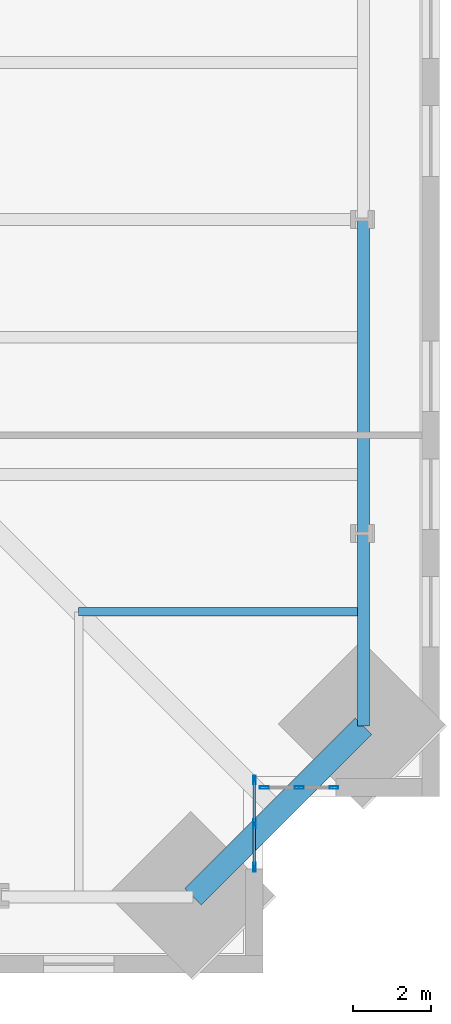
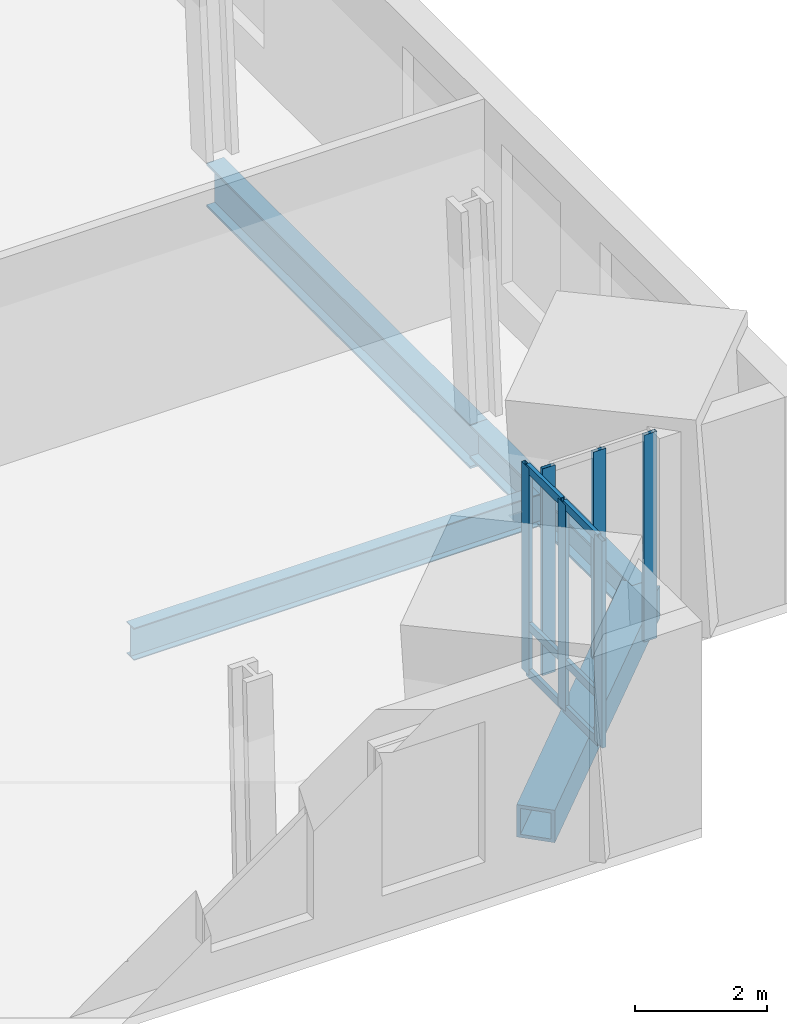
# One storey, part 4 of 16: 12 members, 4 beams, 2 elements without a shape of their own.
"""IFC4 building model written with IfcOpenShell, lengths in metres."""

from ifc_helpers import new_model, si_unit, direction, frame, origin, origin_2d, place, context, subcontext, project, spatial, hollow_rectangle, i_section, extrude, material, material_profile, profile_set, type_object, element, aggregate, save


model = new_model("IFC4")

# Units and contexts
model_context = context("Model", 3, precision=1e-05, world=origin(), true_north=direction((0.0, 1.0)))
body_context = subcontext(model_context, "Body", "Model", "MODEL_VIEW")
ifc_project = project(units=[si_unit("LENGTHUNIT", "METRE"), si_unit("AREAUNIT", "SQUARE_METRE"), si_unit("VOLUMEUNIT", "CUBIC_METRE"), si_unit("PLANEANGLEUNIT", "RADIAN"), si_unit("MASSUNIT", "GRAM", prefix="KILO")], contexts=[model_context])

# Site, building, storey
site_placement = place(None, origin())
site = spatial("IfcSite", under=ifc_project, at=site_placement, CompositionType="ELEMENT")
building_placement = place(site_placement, origin())
building = spatial("IfcBuilding", under=site, at=building_placement, Name="Peilmerk Tower", CompositionType="ELEMENT")
storey_placement = place(building_placement, frame((0.0, 0.0, 139.800048828125)))
storey = spatial("IfcBuildingStorey", under=building, at=storey_placement, Name="L28", CompositionType="ELEMENT", Elevation=139.800048828125)

# Beams
ifc_material_1 = material(Name="Steel S355", Category="steel")
ifc_material_profile_1 = material_profile(ifc_material_1, i_section(OverallWidth=0.219970703125, OverallDepth=0.60009765625, WebThickness=0.011962890625, FlangeThickness=0.01904296875, at=origin_2d()), Name="IPE 600")
ifc_profile_set_1 = profile_set([ifc_material_profile_1], Name="Steel S355")
beam_type_1 = type_object("IfcBeamType", Name="B10 IPE 600 floor beam", PredefinedType="BEAM", material=ifc_profile_set_1)
beam_1_placement = place(storey_placement, frame((18.0, -18.0, -0.469970703125), z_axis=(1.0, 0.0, 0.0), x_axis=(0.0, 1.0, 0.0)))
element("IfcBeam", 1, at=beam_1_placement, inside=storey, type_object=beam_type_1, Name="Floor beam L28", PredefinedType="BEAM", context=body_context, shape_type="SweptSolid", body=[
    extrude(i_section(OverallWidth=0.219970703125, OverallDepth=0.60009765625, WebThickness=0.011962890625, FlangeThickness=0.01904296875, at=origin_2d()), origin(), (0.0, 0.0, 1.0), 7.259765625),
])
ifc_material_profile_2 = material_profile(ifc_material_1, i_section(OverallWidth=0.302978515625, OverallDepth=0.81396484375, WebThickness=0.02099609375, FlangeThickness=0.0400390625, at=origin_2d()), Name="HEM 800")
ifc_profile_set_2 = profile_set([ifc_material_profile_2], Name="Steel S355")
beam_type_2 = type_object("IfcBeamType", Name="B15 HEM 800 edge beam", PredefinedType="SPANDREL", material=ifc_profile_set_2)
beam_2_placement = place(storey_placement, frame((25.259765625, -16.0, -0.5771484375), z_axis=(0.0, 1.0, 0.0), x_axis=(-1.0, 0.0, 0.0)))
element("IfcBeam", 2, at=beam_2_placement, inside=storey, type_object=beam_type_2, Name="Edge beam L28", PredefinedType="SPANDREL", context=body_context, shape_type="SweptSolid", body=[
    extrude(i_section(OverallWidth=0.302978515625, OverallDepth=0.81396484375, WebThickness=0.02099609375, FlangeThickness=0.0400390625, at=origin_2d()), origin(), (0.0, 0.0, 1.0), 8.0),
])
ifc_material_2 = material(Name="Steel S460", Category="steel")
ifc_material_profile_3 = material_profile(ifc_material_2, hollow_rectangle(XDim=0.60009765625, YDim=0.60009765625, WallThickness=0.06005859375, at=origin_2d()), Name="BOX 600x600x60")
ifc_profile_set_3 = profile_set([ifc_material_profile_3], Name="Steel S460")
beam_type_3 = type_object("IfcBeamType", Name="B20 BOX 600x600x60 notch beam", PredefinedType="SPANDREL", material=ifc_profile_set_3)
beam_3_placement = place(storey_placement, frame((25.259765625, -20.90966796875, -0.469970703125), z_axis=(-0.707106781187, -0.707106781187, 0.0), x_axis=(0.707106781187, -0.707106781187, 0.0)))
element("IfcBeam", 3, at=beam_3_placement, inside=storey, type_object=beam_type_3, Name="Notch beam L28", PredefinedType="SPANDREL", context=body_context, shape_type="SweptSolid", body=[
    extrude(hollow_rectangle(XDim=0.60009765625, YDim=0.60009765625, WallThickness=0.06005859375, at=origin_2d()), origin(), (0.0, 0.0, 1.0), 6.15185546875),
])
ifc_material_profile_4 = material_profile(ifc_material_1, i_section(OverallWidth=0.304931640625, OverallDepth=0.6201171875, WebThickness=0.02099609375, FlangeThickness=0.0400390625, at=origin_2d()), Name="HEM 600")
ifc_profile_set_4 = profile_set([ifc_material_profile_4], Name="Steel S355")
beam_type_4 = type_object("IfcBeamType", Name="B31 HEM 600 edge beam", PredefinedType="SPANDREL", material=ifc_profile_set_4)
beam_4_placement = place(storey_placement, frame((25.259765625, -20.90966796875, -0.47998046875), z_axis=(0.0, 1.0, 0.0), x_axis=(-1.0, 0.0, 0.0)))
element("IfcBeam", 4, at=beam_4_placement, inside=storey, type_object=beam_type_4, Name="Edge beam L28", PredefinedType="SPANDREL", context=body_context, shape_type="SweptSolid", body=[
    extrude(i_section(OverallWidth=0.304931640625, OverallDepth=0.6201171875, WebThickness=0.02099609375, FlangeThickness=0.0400390625, at=origin_2d()), origin(), (0.0, 0.0, 1.0), 4.90966796875),
])

# Curtain wall, members
ifc_material_3 = material(Name="Aluminium stick curtain wall", Category="aluminium")
curtain_wall_type = type_object("IfcCurtainWallType", Name="CW3 stick curtain wall, 2250 module", PredefinedType="NOTDEFINED", material=ifc_material_3)
curtain_wall_1_placement = place(storey_placement, origin())
curtain_wall_1 = element("IfcCurtainWall", 5, at=curtain_wall_1_placement, inside=storey, type_object=curtain_wall_type, Name="Curtain wall CW3 SEA L28", PredefinedType="NOTDEFINED")
ifc_material_4 = material(Name="Aluminium EN AW-6063 T6", Category="aluminium")
ifc_material_profile_5 = material_profile(ifc_material_4, hollow_rectangle(XDim=0.06494140625, YDim=0.22509765625, WallThickness=0.00390625, at=origin_2d()), Name="AL 225x65x4")
ifc_profile_set_5 = profile_set([ifc_material_profile_5], Name="Aluminium EN AW-6063 T6")
member_type_1 = type_object("IfcMemberType", Name="CW3-M AL 225x65x4 mullion", PredefinedType="MULLION", material=ifc_profile_set_5)
member_1_placement = place(storey_placement, frame((22.47509765625, -22.282470703125, 0.0), z_axis=(0.0, 0.0, 1.0), x_axis=(1.0, 0.0, 0.0)))
member_1 = element("IfcMember", 6, at=member_1_placement, type_object=member_type_1, Name="CW3 mullion 1", PredefinedType="MULLION", context=body_context, shape_type="SweptSolid", body=[
    extrude(hollow_rectangle(XDim=0.06494140625, YDim=0.22509765625, WallThickness=0.00390625, at=origin_2d()), origin(), (0.0, 0.0, 1.0), 3.829833984375),
])
member_2_placement = place(storey_placement, frame((22.47509765625, -23.394287109375, 0.0), z_axis=(0.0, 0.0, 1.0), x_axis=(1.0, 0.0, 0.0)))
member_2 = element("IfcMember", 7, at=member_2_placement, type_object=member_type_1, Name="CW3 mullion 2", PredefinedType="MULLION", context=body_context, shape_type="SweptSolid", body=[
    extrude(hollow_rectangle(XDim=0.06494140625, YDim=0.22509765625, WallThickness=0.00390625, at=origin_2d()), origin(), (0.0, 0.0, 1.0), 3.829833984375),
])
member_3_placement = place(storey_placement, frame((22.47509765625, -24.506103515625, 0.0), z_axis=(0.0, 0.0, 1.0), x_axis=(1.0, 0.0, 0.0)))
member_3 = element("IfcMember", 8, at=member_3_placement, type_object=member_type_1, Name="CW3 mullion 3", PredefinedType="MULLION", context=body_context, shape_type="SweptSolid", body=[
    extrude(hollow_rectangle(XDim=0.06494140625, YDim=0.22509765625, WallThickness=0.00390625, at=origin_2d()), origin(), (0.0, 0.0, 1.0), 3.829833984375),
])

curtain_wall_2_placement = place(storey_placement, origin())
curtain_wall_2 = element("IfcCurtainWall", 9, at=curtain_wall_2_placement, inside=storey, type_object=curtain_wall_type, Name="Curtain wall CW3 SEB L28", PredefinedType="NOTDEFINED")
member_4_placement = place(storey_placement, frame((22.732421875, -22.47509765625, 0.0), z_axis=(0.0, 0.0, 1.0), x_axis=(0.0, 1.0, 0.0)))
member_4 = element("IfcMember", 10, at=member_4_placement, type_object=member_type_1, Name="CW3 mullion 1", PredefinedType="MULLION", context=body_context, shape_type="SweptSolid", body=[
    extrude(hollow_rectangle(XDim=0.06494140625, YDim=0.22509765625, WallThickness=0.00390625, at=origin_2d()), origin(), (0.0, 0.0, 1.0), 3.829833984375),
])
member_5_placement = place(storey_placement, frame((23.619384765625, -22.47509765625, 0.0), z_axis=(0.0, 0.0, 1.0), x_axis=(0.0, 1.0, 0.0)))
member_5 = element("IfcMember", 11, at=member_5_placement, type_object=member_type_1, Name="CW3 mullion 2", PredefinedType="MULLION", context=body_context, shape_type="SweptSolid", body=[
    extrude(hollow_rectangle(XDim=0.06494140625, YDim=0.22509765625, WallThickness=0.00390625, at=origin_2d()), origin(), (0.0, 0.0, 1.0), 3.829833984375),
])
member_6_placement = place(storey_placement, frame((24.506103515625, -22.47509765625, 0.0), z_axis=(0.0, 0.0, 1.0), x_axis=(0.0, 1.0, 0.0)))
member_6 = element("IfcMember", 12, at=member_6_placement, type_object=member_type_1, Name="CW3 mullion 3", PredefinedType="MULLION", context=body_context, shape_type="SweptSolid", body=[
    extrude(hollow_rectangle(XDim=0.06494140625, YDim=0.22509765625, WallThickness=0.00390625, at=origin_2d()), origin(), (0.0, 0.0, 1.0), 3.829833984375),
])
aggregate(curtain_wall_2, [member_4, member_5, member_6])

# Member
ifc_material_profile_6 = material_profile(ifc_material_4, hollow_rectangle(XDim=0.06494140625, YDim=0.14990234375, WallThickness=0.0029296875, at=origin_2d()), Name="AL 150x65x3")
ifc_profile_set_6 = profile_set([ifc_material_profile_6], Name="Aluminium EN AW-6063 T6")
member_type_2 = type_object("IfcMemberType", Name="CW3-T AL 150x65x3 transom", PredefinedType="USERDEFINED", material=ifc_profile_set_6)
member_7_placement = place(storey_placement, frame((22.47509765625, -22.31494140625, 0.032470703125), z_axis=(0.0, -1.0, 0.0), x_axis=(1.0, 0.0, 0.0)))
member_7 = element("IfcMember", 13, at=member_7_placement, type_object=member_type_2, Name="CW3 transom 1.1", ObjectType="TRANSOM", PredefinedType="USERDEFINED", context=body_context, shape_type="SweptSolid", body=[
    extrude(hollow_rectangle(XDim=0.06494140625, YDim=0.14990234375, WallThickness=0.0029296875, at=origin_2d()), origin(), (0.0, 0.0, 1.0), 1.046875),
])

member_8_placement = place(storey_placement, frame((22.47509765625, -22.31494140625, 0.89990234375), z_axis=(0.0, -1.0, 0.0), x_axis=(1.0, 0.0, 0.0)))
member_8 = element("IfcMember", 14, at=member_8_placement, type_object=member_type_2, Name="CW3 transom 1.2", ObjectType="TRANSOM", PredefinedType="USERDEFINED", context=body_context, shape_type="SweptSolid", body=[
    extrude(hollow_rectangle(XDim=0.06494140625, YDim=0.14990234375, WallThickness=0.0029296875, at=origin_2d()), origin(), (0.0, 0.0, 1.0), 1.046875),
])

member_9_placement = place(storey_placement, frame((22.47509765625, -22.31494140625, 3.79736328125), z_axis=(0.0, -1.0, 0.0), x_axis=(1.0, 0.0, 0.0)))
member_9 = element("IfcMember", 15, at=member_9_placement, type_object=member_type_2, Name="CW3 transom 1.3", ObjectType="TRANSOM", PredefinedType="USERDEFINED", context=body_context, shape_type="SweptSolid", body=[
    extrude(hollow_rectangle(XDim=0.06494140625, YDim=0.14990234375, WallThickness=0.0029296875, at=origin_2d()), origin(), (0.0, 0.0, 1.0), 1.046875),
])

member_10_placement = place(storey_placement, frame((22.47509765625, -23.4267578125, 0.032470703125), z_axis=(0.0, -1.0, 0.0), x_axis=(1.0, 0.0, 0.0)))
member_10 = element("IfcMember", 16, at=member_10_placement, type_object=member_type_2, Name="CW3 transom 2.1", ObjectType="TRANSOM", PredefinedType="USERDEFINED", context=body_context, shape_type="SweptSolid", body=[
    extrude(hollow_rectangle(XDim=0.06494140625, YDim=0.14990234375, WallThickness=0.0029296875, at=origin_2d()), origin(), (0.0, 0.0, 1.0), 1.046875),
])

member_11_placement = place(storey_placement, frame((22.47509765625, -23.4267578125, 0.89990234375), z_axis=(0.0, -1.0, 0.0), x_axis=(1.0, 0.0, 0.0)))
member_11 = element("IfcMember", 17, at=member_11_placement, type_object=member_type_2, Name="CW3 transom 2.2", ObjectType="TRANSOM", PredefinedType="USERDEFINED", context=body_context, shape_type="SweptSolid", body=[
    extrude(hollow_rectangle(XDim=0.06494140625, YDim=0.14990234375, WallThickness=0.0029296875, at=origin_2d()), origin(), (0.0, 0.0, 1.0), 1.046875),
])

member_12_placement = place(storey_placement, frame((22.47509765625, -23.4267578125, 3.79736328125), z_axis=(0.0, -1.0, 0.0), x_axis=(1.0, 0.0, 0.0)))
member_12 = element("IfcMember", 18, at=member_12_placement, type_object=member_type_2, Name="CW3 transom 2.3", ObjectType="TRANSOM", PredefinedType="USERDEFINED", context=body_context, shape_type="SweptSolid", body=[
    extrude(hollow_rectangle(XDim=0.06494140625, YDim=0.14990234375, WallThickness=0.0029296875, at=origin_2d()), origin(), (0.0, 0.0, 1.0), 1.046875),
])

aggregate(curtain_wall_1, [member_1, member_2, member_3, member_7, member_8, member_9, member_10, member_11, member_12])

save(model, "model.ifc")
